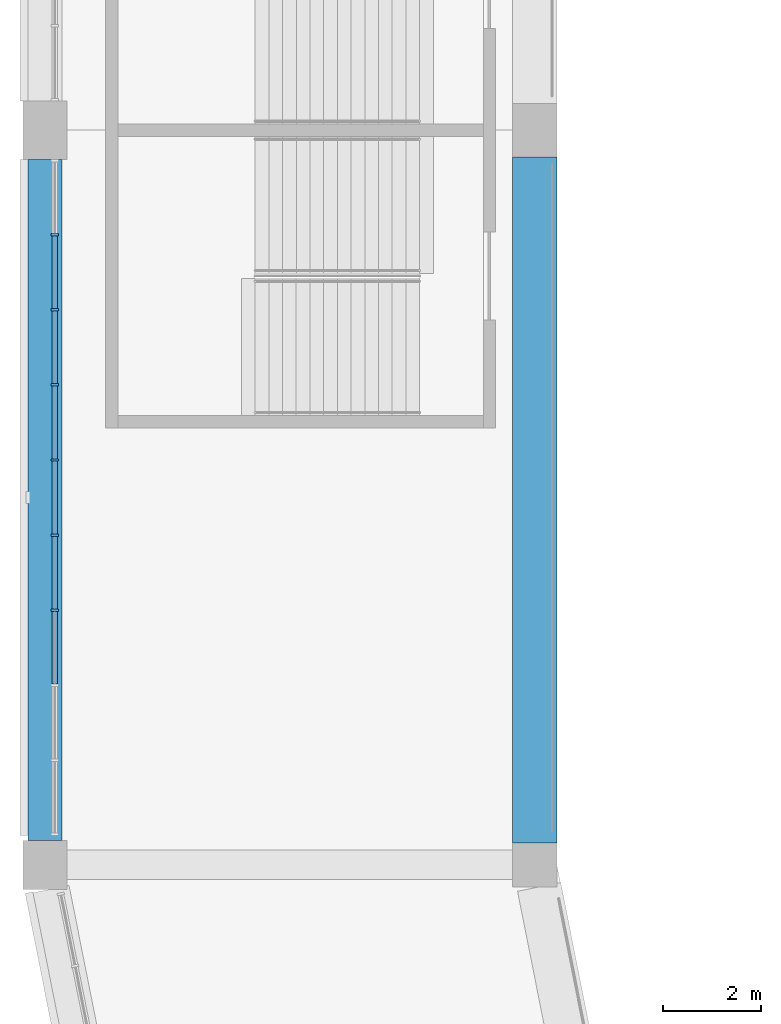
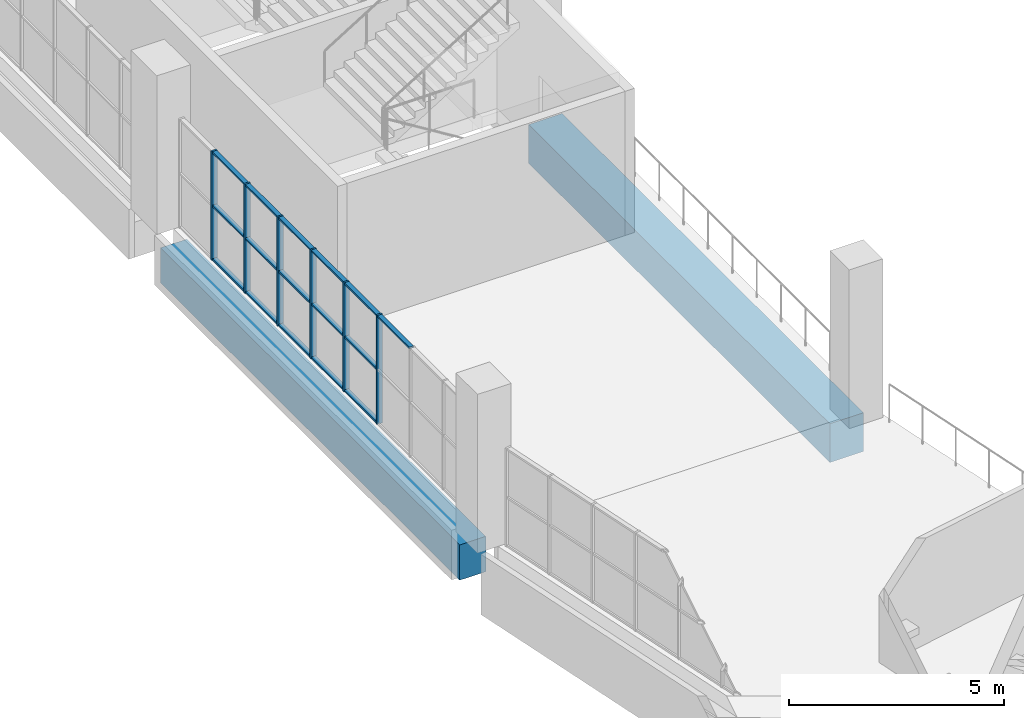
# One storey, part 8 of 177: 22 members, 2 beams, 1 element without a shape of its own.
"""IFC4 building model written with IfcOpenShell, lengths in metres."""

from ifc_helpers import new_model, si_unit, direction, frame, origin, origin_2d, place, context, subcontext, project, spatial, rectangle, extrude, material, material_profile, profile_set, type_object, element, aggregate, save


model = new_model("IFC4")

# Units and contexts
model_context = context("Model", 3, precision=1e-05, world=origin(), true_north=direction((0.0, 1.0)))
body_context = subcontext(model_context, "Body", "Model", "MODEL_VIEW")
ifc_project = project(units=[si_unit("LENGTHUNIT", "METRE"), si_unit("AREAUNIT", "SQUARE_METRE"), si_unit("VOLUMEUNIT", "CUBIC_METRE"), si_unit("PLANEANGLEUNIT", "RADIAN"), si_unit("MASSUNIT", "GRAM", prefix="KILO")], contexts=[model_context])

# Site, building, storey
site_placement = place(None, origin())
site = spatial("IfcSite", under=ifc_project, at=site_placement, CompositionType="ELEMENT")
building_placement = place(site_placement, origin())
building = spatial("IfcBuilding", under=site, at=building_placement, Name="Ogive Plaza Stadium", CompositionType="ELEMENT")
storey_placement = place(building_placement, frame((0.0, 0.0, 18.0)))
storey = spatial("IfcBuildingStorey", under=building, at=storey_placement, Name="L04", CompositionType="ELEMENT", Elevation=18.0)

# Curtain wall, members
ifc_material_1 = material(Name="Bronze-anodised aluminium with laminated glass", Category="aluminium")
curtain_wall_type = type_object("IfcCurtainWallType", Name="Lancet curtain wall", PredefinedType="NOTDEFINED", material=ifc_material_1)
curtain_wall_placement = place(storey_placement, origin())
curtain_wall = element("IfcCurtainWall", 1, at=curtain_wall_placement, inside=storey, type_object=curtain_wall_type, Name="CURTAIN WALL B21 L04", PredefinedType="NOTDEFINED")
ifc_material_2 = material(Name="Bronze-anodised aluminium", Category="aluminium")
ifc_material_profile_1 = material_profile(ifc_material_2, rectangle(XDim=0.14990234375, YDim=0.050048828125, at=origin_2d()), Name="AL 150x50")
ifc_profile_set_1 = profile_set([ifc_material_profile_1], Name="Bronze-anodised aluminium")
member_type_1 = type_object("IfcMemberType", Name="Curtain wall mullion 50x150", PredefinedType="MULLION", material=ifc_profile_set_1)
member_1_placement = place(storey_placement, frame((-83.800048828125, -47.300048828125, 0.0), z_axis=(0.0, 0.0, 1.0), x_axis=(-1.0, 0.0, 0.0)))
member_1 = element("IfcMember", 2, at=member_1_placement, type_object=member_type_1, Name="CW-B21-L04 mullion 4", PredefinedType="MULLION", context=body_context, shape_type="SweptSolid", body=[
    extrude(rectangle(XDim=0.14990234375, YDim=0.050048828125, at=origin_2d()), origin(), (0.0, 0.0, 1.0), 3.090087890625),
])
member_2_placement = place(storey_placement, frame((-83.800048828125, -45.7666015625, 0.0), z_axis=(0.0, 0.0, 1.0), x_axis=(-1.0, 0.0, 0.0)))
member_2 = element("IfcMember", 3, at=member_2_placement, type_object=member_type_1, Name="CW-B21-L04 mullion 5", PredefinedType="MULLION", context=body_context, shape_type="SweptSolid", body=[
    extrude(rectangle(XDim=0.14990234375, YDim=0.050048828125, at=origin_2d()), origin(), (0.0, 0.0, 1.0), 3.090087890625),
])
member_3_placement = place(storey_placement, frame((-83.800048828125, -44.2333984375, 0.0), z_axis=(0.0, 0.0, 1.0), x_axis=(-1.0, 0.0, 0.0)))
member_3 = element("IfcMember", 4, at=member_3_placement, type_object=member_type_1, Name="CW-B21-L04 mullion 6", PredefinedType="MULLION", context=body_context, shape_type="SweptSolid", body=[
    extrude(rectangle(XDim=0.14990234375, YDim=0.050048828125, at=origin_2d()), origin(), (0.0, 0.0, 1.0), 3.090087890625),
])
member_4_placement = place(storey_placement, frame((-83.800048828125, -42.699951171875, 0.0), z_axis=(0.0, 0.0, 1.0), x_axis=(-1.0, 0.0, 0.0)))
member_4 = element("IfcMember", 5, at=member_4_placement, type_object=member_type_1, Name="CW-B21-L04 mullion 7", PredefinedType="MULLION", context=body_context, shape_type="SweptSolid", body=[
    extrude(rectangle(XDim=0.14990234375, YDim=0.050048828125, at=origin_2d()), origin(), (0.0, 0.0, 1.0), 3.090087890625),
])
member_5_placement = place(storey_placement, frame((-83.800048828125, -41.166748046875, 0.0), z_axis=(0.0, 0.0, 1.0), x_axis=(-1.0, 0.0, 0.0)))
member_5 = element("IfcMember", 6, at=member_5_placement, type_object=member_type_1, Name="CW-B21-L04 mullion 8", PredefinedType="MULLION", context=body_context, shape_type="SweptSolid", body=[
    extrude(rectangle(XDim=0.14990234375, YDim=0.050048828125, at=origin_2d()), origin(), (0.0, 0.0, 1.0), 3.090087890625),
])
member_6_placement = place(storey_placement, frame((-83.800048828125, -39.63330078125, 0.0), z_axis=(0.0, 0.0, 1.0), x_axis=(-1.0, 0.0, 0.0)))
member_6 = element("IfcMember", 7, at=member_6_placement, type_object=member_type_1, Name="CW-B21-L04 mullion 9", PredefinedType="MULLION", context=body_context, shape_type="SweptSolid", body=[
    extrude(rectangle(XDim=0.14990234375, YDim=0.050048828125, at=origin_2d()), origin(), (0.0, 0.0, 1.0), 3.090087890625),
])
ifc_material_3 = material(Name="Bronze-anodised aluminium", Category="aluminium")
ifc_material_profile_2 = material_profile(ifc_material_3, rectangle(XDim=0.1201171875, YDim=0.050048828125, at=origin_2d()), Name="AL 120x50")
ifc_profile_set_2 = profile_set([ifc_material_profile_2], Name="Bronze-anodised aluminium")
member_type_2 = type_object("IfcMemberType", Name="Curtain wall transom 50x120", PredefinedType="USERDEFINED", material=ifc_profile_set_2)
member_7_placement = place(storey_placement, frame((-83.800048828125, -48.808349609375, 3.06494140625), z_axis=(0.0, 1.0, 0.0), x_axis=(-1.0, 0.0, 0.0)))
member_7 = element("IfcMember", 8, at=member_7_placement, type_object=member_type_2, Name="CW-B21-L04 transom 3.3", ObjectType="TRANSOM", PredefinedType="USERDEFINED", context=body_context, shape_type="SweptSolid", body=[
    extrude(rectangle(XDim=0.1201171875, YDim=0.050048828125, at=origin_2d()), origin(), (0.0, 0.0, 1.0), 1.4833984375),
])
member_8_placement = place(storey_placement, frame((-83.800048828125, -47.27490234375, 0.02490234375), z_axis=(0.0, 1.0, 0.0), x_axis=(-1.0, 0.0, 0.0)))
member_8 = element("IfcMember", 9, at=member_8_placement, type_object=member_type_2, Name="CW-B21-L04 transom 4.1", ObjectType="TRANSOM", PredefinedType="USERDEFINED", context=body_context, shape_type="SweptSolid", body=[
    extrude(rectangle(XDim=0.1201171875, YDim=0.050048828125, at=origin_2d()), origin(), (0.0, 0.0, 1.0), 1.483154296875),
])
member_9_placement = place(storey_placement, frame((-83.800048828125, -47.27490234375, 1.544921875), z_axis=(0.0, 1.0, 0.0), x_axis=(-1.0, 0.0, 0.0)))
member_9 = element("IfcMember", 10, at=member_9_placement, type_object=member_type_2, Name="CW-B21-L04 transom 4.2", ObjectType="TRANSOM", PredefinedType="USERDEFINED", context=body_context, shape_type="SweptSolid", body=[
    extrude(rectangle(XDim=0.1201171875, YDim=0.050048828125, at=origin_2d()), origin(), (0.0, 0.0, 1.0), 1.483154296875),
])
member_10_placement = place(storey_placement, frame((-83.800048828125, -47.27490234375, 3.06494140625), z_axis=(0.0, 1.0, 0.0), x_axis=(-1.0, 0.0, 0.0)))
member_10 = element("IfcMember", 11, at=member_10_placement, type_object=member_type_2, Name="CW-B21-L04 transom 4.3", ObjectType="TRANSOM", PredefinedType="USERDEFINED", context=body_context, shape_type="SweptSolid", body=[
    extrude(rectangle(XDim=0.1201171875, YDim=0.050048828125, at=origin_2d()), origin(), (0.0, 0.0, 1.0), 1.483154296875),
])
member_11_placement = place(storey_placement, frame((-83.800048828125, -45.74169921875, 0.02490234375), z_axis=(0.0, 1.0, 0.0), x_axis=(-1.0, 0.0, 0.0)))
member_11 = element("IfcMember", 12, at=member_11_placement, type_object=member_type_2, Name="CW-B21-L04 transom 5.1", ObjectType="TRANSOM", PredefinedType="USERDEFINED", context=body_context, shape_type="SweptSolid", body=[
    extrude(rectangle(XDim=0.1201171875, YDim=0.050048828125, at=origin_2d()), origin(), (0.0, 0.0, 1.0), 1.4833984375),
])
member_12_placement = place(storey_placement, frame((-83.800048828125, -45.74169921875, 1.544921875), z_axis=(0.0, 1.0, 0.0), x_axis=(-1.0, 0.0, 0.0)))
member_12 = element("IfcMember", 13, at=member_12_placement, type_object=member_type_2, Name="CW-B21-L04 transom 5.2", ObjectType="TRANSOM", PredefinedType="USERDEFINED", context=body_context, shape_type="SweptSolid", body=[
    extrude(rectangle(XDim=0.1201171875, YDim=0.050048828125, at=origin_2d()), origin(), (0.0, 0.0, 1.0), 1.4833984375),
])
member_13_placement = place(storey_placement, frame((-83.800048828125, -45.74169921875, 3.06494140625), z_axis=(0.0, 1.0, 0.0), x_axis=(-1.0, 0.0, 0.0)))
member_13 = element("IfcMember", 14, at=member_13_placement, type_object=member_type_2, Name="CW-B21-L04 transom 5.3", ObjectType="TRANSOM", PredefinedType="USERDEFINED", context=body_context, shape_type="SweptSolid", body=[
    extrude(rectangle(XDim=0.1201171875, YDim=0.050048828125, at=origin_2d()), origin(), (0.0, 0.0, 1.0), 1.4833984375),
])
member_14_placement = place(storey_placement, frame((-83.800048828125, -44.208251953125, 0.02490234375), z_axis=(0.0, 1.0, 0.0), x_axis=(-1.0, 0.0, 0.0)))
member_14 = element("IfcMember", 15, at=member_14_placement, type_object=member_type_2, Name="CW-B21-L04 transom 6.1", ObjectType="TRANSOM", PredefinedType="USERDEFINED", context=body_context, shape_type="SweptSolid", body=[
    extrude(rectangle(XDim=0.1201171875, YDim=0.050048828125, at=origin_2d()), origin(), (0.0, 0.0, 1.0), 1.483154296875),
])
member_15_placement = place(storey_placement, frame((-83.800048828125, -44.208251953125, 1.544921875), z_axis=(0.0, 1.0, 0.0), x_axis=(-1.0, 0.0, 0.0)))
member_15 = element("IfcMember", 16, at=member_15_placement, type_object=member_type_2, Name="CW-B21-L04 transom 6.2", ObjectType="TRANSOM", PredefinedType="USERDEFINED", context=body_context, shape_type="SweptSolid", body=[
    extrude(rectangle(XDim=0.1201171875, YDim=0.050048828125, at=origin_2d()), origin(), (0.0, 0.0, 1.0), 1.483154296875),
])
member_16_placement = place(storey_placement, frame((-83.800048828125, -44.208251953125, 3.06494140625), z_axis=(0.0, 1.0, 0.0), x_axis=(-1.0, 0.0, 0.0)))
member_16 = element("IfcMember", 17, at=member_16_placement, type_object=member_type_2, Name="CW-B21-L04 transom 6.3", ObjectType="TRANSOM", PredefinedType="USERDEFINED", context=body_context, shape_type="SweptSolid", body=[
    extrude(rectangle(XDim=0.1201171875, YDim=0.050048828125, at=origin_2d()), origin(), (0.0, 0.0, 1.0), 1.483154296875),
])
member_17_placement = place(storey_placement, frame((-83.800048828125, -42.675048828125, 0.02490234375), z_axis=(0.0, 1.0, 0.0), x_axis=(-1.0, 0.0, 0.0)))
member_17 = element("IfcMember", 18, at=member_17_placement, type_object=member_type_2, Name="CW-B21-L04 transom 7.1", ObjectType="TRANSOM", PredefinedType="USERDEFINED", context=body_context, shape_type="SweptSolid", body=[
    extrude(rectangle(XDim=0.1201171875, YDim=0.050048828125, at=origin_2d()), origin(), (0.0, 0.0, 1.0), 1.4833984375),
])
member_18_placement = place(storey_placement, frame((-83.800048828125, -42.675048828125, 1.544921875), z_axis=(0.0, 1.0, 0.0), x_axis=(-1.0, 0.0, 0.0)))
member_18 = element("IfcMember", 19, at=member_18_placement, type_object=member_type_2, Name="CW-B21-L04 transom 7.2", ObjectType="TRANSOM", PredefinedType="USERDEFINED", context=body_context, shape_type="SweptSolid", body=[
    extrude(rectangle(XDim=0.1201171875, YDim=0.050048828125, at=origin_2d()), origin(), (0.0, 0.0, 1.0), 1.4833984375),
])
member_19_placement = place(storey_placement, frame((-83.800048828125, -42.675048828125, 3.06494140625), z_axis=(0.0, 1.0, 0.0), x_axis=(-1.0, 0.0, 0.0)))
member_19 = element("IfcMember", 20, at=member_19_placement, type_object=member_type_2, Name="CW-B21-L04 transom 7.3", ObjectType="TRANSOM", PredefinedType="USERDEFINED", context=body_context, shape_type="SweptSolid", body=[
    extrude(rectangle(XDim=0.1201171875, YDim=0.050048828125, at=origin_2d()), origin(), (0.0, 0.0, 1.0), 1.4833984375),
])
member_20_placement = place(storey_placement, frame((-83.800048828125, -41.1416015625, 0.02490234375), z_axis=(0.0, 1.0, 0.0), x_axis=(-1.0, 0.0, 0.0)))
member_20 = element("IfcMember", 21, at=member_20_placement, type_object=member_type_2, Name="CW-B21-L04 transom 8.1", ObjectType="TRANSOM", PredefinedType="USERDEFINED", context=body_context, shape_type="SweptSolid", body=[
    extrude(rectangle(XDim=0.1201171875, YDim=0.050048828125, at=origin_2d()), origin(), (0.0, 0.0, 1.0), 1.483154296875),
])
member_21_placement = place(storey_placement, frame((-83.800048828125, -41.1416015625, 1.544921875), z_axis=(0.0, 1.0, 0.0), x_axis=(-1.0, 0.0, 0.0)))
member_21 = element("IfcMember", 22, at=member_21_placement, type_object=member_type_2, Name="CW-B21-L04 transom 8.2", ObjectType="TRANSOM", PredefinedType="USERDEFINED", context=body_context, shape_type="SweptSolid", body=[
    extrude(rectangle(XDim=0.1201171875, YDim=0.050048828125, at=origin_2d()), origin(), (0.0, 0.0, 1.0), 1.483154296875),
])
member_22_placement = place(storey_placement, frame((-83.800048828125, -41.1416015625, 3.06494140625), z_axis=(0.0, 1.0, 0.0), x_axis=(-1.0, 0.0, 0.0)))
member_22 = element("IfcMember", 23, at=member_22_placement, type_object=member_type_2, Name="CW-B21-L04 transom 8.3", ObjectType="TRANSOM", PredefinedType="USERDEFINED", context=body_context, shape_type="SweptSolid", body=[
    extrude(rectangle(XDim=0.1201171875, YDim=0.050048828125, at=origin_2d()), origin(), (0.0, 0.0, 1.0), 1.483154296875),
])
aggregate(curtain_wall, [member_1, member_2, member_3, member_4, member_5, member_6, member_7, member_8, member_9, member_10, member_11, member_12, member_13, member_14, member_15, member_16, member_17, member_18, member_19, member_20, member_21, member_22])

# Beams
ifc_material_4 = material(Name="Concrete C40/50", Category="concrete")
ifc_material_profile_3 = material_profile(ifc_material_4, rectangle(XDim=0.89990234375, YDim=1.10009765625, at=origin_2d()), Name="RC 900x1100")
ifc_profile_set_3 = profile_set([ifc_material_profile_3], Name="Concrete C40/50")
beam_type_1 = type_object("IfcBeamType", Name="RC ring beam 900x1100", PredefinedType="BEAM", material=ifc_profile_set_3)
beam_1_placement = place(storey_placement, frame((-74.0, -52.050048828125, -0.9599609375), z_axis=(0.0, 1.0, 0.0), x_axis=(-1.0, 0.0, 0.0)))
element("IfcBeam", 24, at=beam_1_placement, inside=storey, type_object=beam_type_1, Name="Ring beam F4 L04 B21", PredefinedType="BEAM", context=body_context, shape_type="SweptSolid", body=[
    extrude(rectangle(XDim=0.89990234375, YDim=1.10009765625, at=origin_2d()), origin(), (0.0, 0.0, 1.0), 14.0),
])
ifc_material_5 = material(Name="Concrete C40/50", Category="concrete")
ifc_material_profile_4 = material_profile(ifc_material_5, rectangle(XDim=0.699951171875, YDim=1.0, at=origin_2d()), Name="RC 700x1000")
ifc_profile_set_4 = profile_set([ifc_material_profile_4], Name="Concrete C40/50")
beam_type_2 = type_object("IfcBeamType", Name="RC spandrel beam 700x1000", PredefinedType="SPANDREL", material=ifc_profile_set_4)
beam_2_placement = place(storey_placement, frame((-84.0, -52.0, -0.909912109375), z_axis=(0.0, 1.0, 0.0), x_axis=(-1.0, 0.0, 0.0)))
element("IfcBeam", 25, at=beam_2_placement, inside=storey, type_object=beam_type_2, Name="Ring beam F5 L04 B21", PredefinedType="SPANDREL", context=body_context, shape_type="SweptSolid", body=[
    extrude(rectangle(XDim=0.699951171875, YDim=1.0, at=origin_2d()), origin(), (0.0, 0.0, 1.0), 13.89990234375),
])

save(model, "model.ifc")
